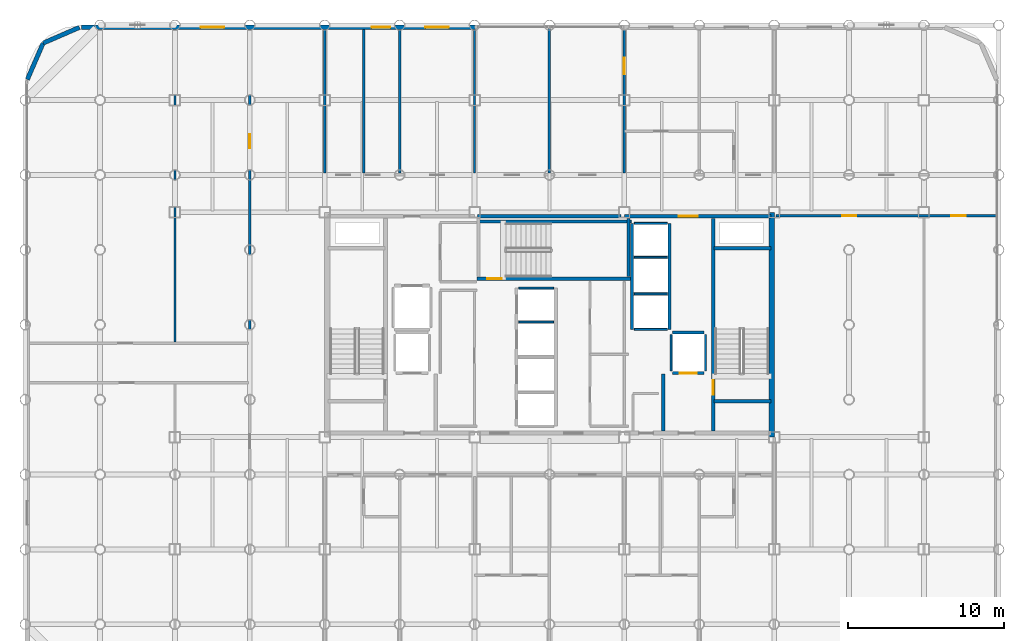
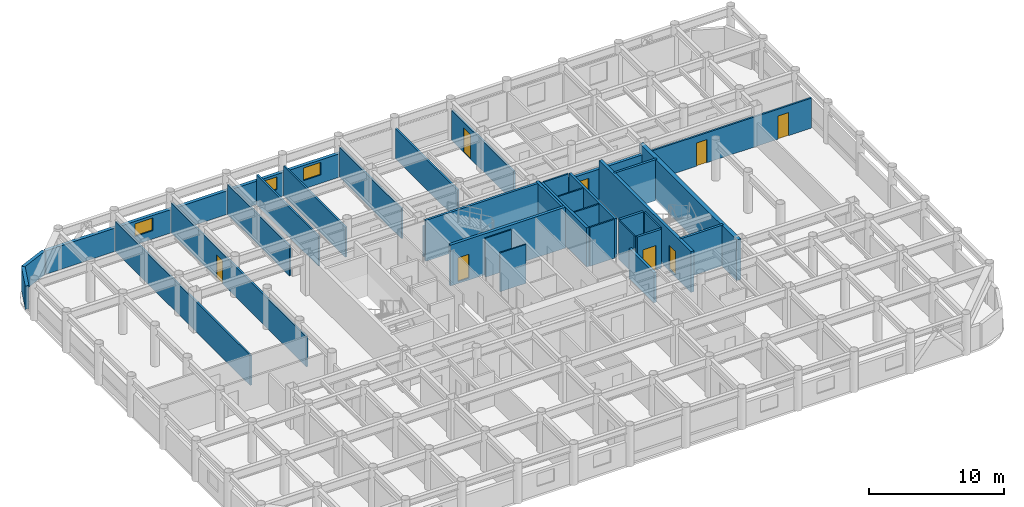
# One storey, part 18 of 20: 34 walls, 8 doors, 3 windows, 11 openings.
"""IFC4 building model written with IfcOpenShell, lengths in metres."""

import ifcopenshell
import ifcopenshell.guid

model = None  # the IFC model being written
_history = None  # IfcOwnerHistory: only IFC2X3 demands one
_inside = {}  # id of a spatial element -> (the spatial element, [elements in it])
_under = {}  # id of a project, library or spatial element -> (it, [spatial elements below it])
_declared = {}  # id of a project -> (the project, [libraries it declares])
_typed = {}  # id of a type object -> (the type object, [elements of that type])
_made_of = {}  # id of a material, layer set ... -> (it, [elements and type objects made of it])


def new_model(schema):
    """Start an empty IFC model of exactly this schema.

    Asked for "IFC4X3", IfcOpenShell would pick the latest addendum, in which some entities
    have other attributes; the version numbers below select the first issue.
    IFC2X3 requires an IfcOwnerHistory on every rooted entity: one is made here for all.
    """
    global model, _history
    if schema == "IFC4X3":
        model = ifcopenshell.file(schema_version=(4, 3, 0, 0))
    else:
        model = ifcopenshell.file(schema=schema)
    _inside.clear()
    _under.clear()
    _declared.clear()
    _typed.clear()
    _made_of.clear()
    _history = None
    if model.schema == "IFC2X3":
        org = make("IfcOrganization", Name="unknown")
        user = make(
            "IfcPersonAndOrganization",
            ThePerson=make("IfcPerson", FamilyName="unknown"),
            TheOrganization=org,
        )
        app = make(
            "IfcApplication",
            ApplicationDeveloper=org,
            Version="unknown",
            ApplicationFullName="unknown",
            ApplicationIdentifier="unknown",
        )
        _history = make(
            "IfcOwnerHistory",
            OwningUser=user,
            OwningApplication=app,
            ChangeAction="ADDED",
            CreationDate=0,
        )
    return model


def make(cls, **values):
    """One entity of the class cls with the attributes given. An attribute that is None is left unset."""
    return model.create_entity(
        cls, **{name: value for name, value in values.items() if value is not None}
    )


def rooted(cls, **values):
    """An entity with a GlobalId (a new one), such as an element, a storey or a relation."""
    return make(cls, GlobalId=ifcopenshell.guid.new(), OwnerHistory=_history, **values)


def si_unit(unit_type, name, prefix=None):
    """IfcSIUnit, for example si_unit("LENGTHUNIT", "METRE", prefix="MILLI")."""
    return make("IfcSIUnit", UnitType=unit_type, Prefix=prefix, Name=name)


def assignment(units):
    """IfcUnitAssignment: the units of a project."""
    return None if units is None else make("IfcUnitAssignment", Units=units)


def point(xyz):
    """IfcCartesianPoint."""
    return None if xyz is None else make("IfcCartesianPoint", Coordinates=xyz)


def direction(xyz):
    """IfcDirection."""
    return None if xyz is None else make("IfcDirection", DirectionRatios=xyz)


def frame(location, z_axis=None, x_axis=None):
    """IfcAxis2Placement3D, a coordinate frame: its origin and axes. An axis left out is left unset."""
    return make(
        "IfcAxis2Placement3D",
        Location=point(location),
        Axis=direction(z_axis),
        RefDirection=direction(x_axis),
    )


def frame_2d(location, x_axis=None):
    """IfcAxis2Placement2D, a coordinate frame in the plane: its origin and x axis."""
    return make(
        "IfcAxis2Placement2D", Location=point(location), RefDirection=direction(x_axis)
    )


def origin():
    """The frame at (0, 0, 0) with its axes left unset."""
    return frame((0.0, 0.0, 0.0))


def place(relative_to, where):
    """IfcLocalPlacement: puts the frame where relative to a parent placement (None: the world)."""
    return make(
        "IfcLocalPlacement", PlacementRelTo=relative_to, RelativePlacement=where
    )


def context(
    kind, dimensions, precision=None, world=None, true_north=None, identifier=None
):
    """IfcGeometricRepresentationContext, for example the 3D "Model" context."""
    return make(
        "IfcGeometricRepresentationContext",
        ContextIdentifier=identifier,
        ContextType=kind,
        CoordinateSpaceDimension=dimensions,
        Precision=precision,
        WorldCoordinateSystem=world,
        TrueNorth=true_north,
    )


def subcontext(parent, identifier, kind, view, scale=None):
    """IfcGeometricRepresentationSubContext, for example "Body" below "Model"."""
    return make(
        "IfcGeometricRepresentationSubContext",
        ContextIdentifier=identifier,
        ContextType=kind,
        ParentContext=parent,
        TargetScale=scale,
        TargetView=view,
    )


def project(units=None, contexts=None):
    """IfcProject with its units and contexts."""
    return rooted(
        "IfcProject",
        Name="project",
        RepresentationContexts=contexts,
        UnitsInContext=assignment(units),
    )


def spatial(cls, under=None, at=None, **own):
    """A site, building, storey or space (cls), placed at a placement, below another one or the project."""
    s = rooted(cls, ObjectPlacement=at, **own)
    if under is not None:
        _under.setdefault(under.id(), (under, []))[1].append(s)
    return s


def profile(cls, at=None, kind="AREA", **sizes):
    """A parametric profile (cls). Its sizes go by their IFC names, for example OverallWidth=200.0."""
    return make(cls, ProfileType=kind, Position=at, **sizes)


def rectangle(**sizes):
    """IfcRectangleProfileDef."""
    return profile("IfcRectangleProfileDef", **sizes)


def extrude(swept, where, along, depth):
    """IfcExtrudedAreaSolid: the profile swept, set in the frame where, extruded along a direction by depth."""
    return make(
        "IfcExtrudedAreaSolid",
        SweptArea=swept,
        Position=where,
        ExtrudedDirection=direction(along),
        Depth=depth,
    )


def shape(context_of_items, identifier, shape_type, items):
    """IfcShapeRepresentation: the items that make up one representation, for example the "Body"."""
    return make(
        "IfcShapeRepresentation",
        ContextOfItems=context_of_items,
        RepresentationIdentifier=identifier,
        RepresentationType=shape_type,
        Items=items,
    )


def material(Name=None, Category=None):
    """IfcMaterial."""
    return make("IfcMaterial", Name=Name, Category=Category)


def layer(
    of_material, thickness, ventilated=None, Name=None, Category=None, Priority=None
):
    """IfcMaterialLayer: one layer of a wall or slab, of a material (None: an air gap)."""
    return make(
        "IfcMaterialLayer",
        Material=of_material,
        LayerThickness=thickness,
        IsVentilated=ventilated,
        Name=Name,
        Category=Category,
        Priority=Priority,
    )


def layer_set(layers, Name=None):
    """IfcMaterialLayerSet."""
    return make("IfcMaterialLayerSet", MaterialLayers=layers, LayerSetName=Name)


def made_of(thing, what):
    """Note that an element or type object is made of a material, layer set ...; save() writes the relation."""
    if what is not None:
        _made_of.setdefault(what.id(), (what, []))[1].append(thing)
    return thing


def type_object(cls, material=None, **own):
    """A type object (cls), such as IfcWallType, which elements share."""
    return made_of(rooted(cls, **own), material)


def element(
    cls,
    number,
    at=None,
    inside=None,
    cuts=None,
    type_object=None,
    material=None,
    context=None,
    identifier="Body",
    shape_type=None,
    held_by="IfcProductDefinitionShape",
    body=None,
    shapes=None,
    **own,
):
    """One element of the class cls, such as IfcWall. Its Tag is "e" and its number.

    at: its placement. inside: the storey or other place that contains it. cuts: it is an
    opening in that element (IfcRelVoidsElement). A single representation is given by context,
    identifier, shape_type and body (its items); several are given by shapes. held_by: the class
    of the entity that holds the representations. save() writes the other relations.
    """
    e = rooted(cls, Tag="e%d" % number, ObjectPlacement=at, **own)
    if body is not None:
        shapes = [shape(context, identifier, shape_type, body)]
    if shapes is not None:
        e.Representation = make(held_by, Representations=shapes)
    if inside is not None:
        _inside.setdefault(inside.id(), (inside, []))[1].append(e)
    if cuts is not None:
        rooted(
            "IfcRelVoidsElement", RelatingBuildingElement=cuts, RelatedOpeningElement=e
        )
    if type_object is not None:
        _typed.setdefault(type_object.id(), (type_object, []))[1].append(e)
    return made_of(e, material)


def fill(opening, filler):
    """IfcRelFillsElement: the door or window that sits in an opening."""
    return rooted(
        "IfcRelFillsElement",
        RelatingOpeningElement=opening,
        RelatedBuildingElement=filler,
    )


def aggregate(whole, parts):
    """IfcRelAggregates: a whole, such as a stair, and the parts it consists of."""
    return rooted("IfcRelAggregates", RelatingObject=whole, RelatedObjects=parts)


def save(model, path):
    """Write the relations noted so far, then the file.

    IfcRelAggregates (storeys below a building ...), IfcRelContainedInSpatialStructure (elements
    in a storey), IfcRelDefinesByType, IfcRelAssociatesMaterial and IfcRelDeclares: one each for
    every whole, place, type object, material and project.
    """
    for whole, parts in _under.values():
        aggregate(whole, parts)
    for where, things in _inside.values():
        rooted(
            "IfcRelContainedInSpatialStructure",
            RelatedElements=things,
            RelatingStructure=where,
        )
    for kind, things in _typed.values():
        rooted("IfcRelDefinesByType", RelatedObjects=things, RelatingType=kind)
    for what, things in _made_of.values():
        rooted("IfcRelAssociatesMaterial", RelatedObjects=things, RelatingMaterial=what)
    for by, libraries in _declared.values():
        rooted("IfcRelDeclares", RelatingContext=by, RelatedDefinitions=libraries)
    model.write(path)


model = new_model("IFC4")

# Units and contexts
model_context = context("Model", 3, precision=1e-05, world=origin(), true_north=direction((0.0, 1.0)))
body_context = subcontext(model_context, "Body", "Model", "MODEL_VIEW")
ifc_project = project(units=[si_unit("LENGTHUNIT", "METRE"), si_unit("AREAUNIT", "SQUARE_METRE"), si_unit("VOLUMEUNIT", "CUBIC_METRE"), si_unit("PLANEANGLEUNIT", "RADIAN"), si_unit("MASSUNIT", "GRAM", prefix="KILO")], contexts=[model_context])

# Site, building, storey
site_placement = place(None, origin())
site = spatial("IfcSite", under=ifc_project, at=site_placement, CompositionType="ELEMENT")
building_placement = place(site_placement, origin())
building = spatial("IfcBuilding", under=site, at=building_placement, Name="Kallvorn Hotel Tower", CompositionType="ELEMENT")
storey_placement = place(building_placement, frame((0.0, 0.0, 158.10009765625)))
storey = spatial("IfcBuildingStorey", under=building, at=storey_placement, Name="L39", CompositionType="ELEMENT", Elevation=158.10009765625)

# Walls
ifc_material_1 = material(Name="Concrete C50/60", Category="concrete")
ifc_layer_1 = layer(ifc_material_1, 0.35009765625)
ifc_layer_set_1 = layer_set([ifc_layer_1], Name="WL_CORE_350")
wall_type_1 = type_object("IfcWallType", Name="WL_CORE_350", PredefinedType="SHEAR", material=ifc_layer_set_1)
wall_1_placement = place(storey_placement, frame((14.239990234375, -7.199951171875, -0.18017578125), z_axis=(0.0, 0.0, 1.0), x_axis=(0.0, 1.0, 0.0)))
element("IfcWall", 1, at=wall_1_placement, inside=storey, type_object=wall_type_1, Name="L39 Core East Shear Wall", PredefinedType="SHEAR", context=body_context, shape_type="SweptSolid", body=[
    extrude(rectangle(XDim=14.39990234375, YDim=0.35009765625, at=frame_2d((7.199951171875, 0.0))), origin(), (0.0, 0.0, 1.0), 3.7001953125),
])
ifc_material_2 = material(Name="Fire-rated double-layer acoustic gypsum drywall EI 60")
ifc_layer_2 = layer(ifc_material_2, 0.159912109375)
ifc_layer_set_2 = layer_set([ifc_layer_2], Name="WL_DEMISE_160")
wall_type_2 = type_object("IfcWallType", Name="WL_DEMISE_160", PredefinedType="PARTITIONING", material=ifc_layer_set_2)
wall_2_placement = place(storey_placement, frame((0.0, 9.719970703125, 0.0), z_axis=(0.0, 0.0, 1.0), x_axis=(0.0, 1.0, 0.0)))
element("IfcWall", 2, at=wall_2_placement, inside=storey, type_object=wall_type_2, Name="L39 Suite 3905 Junior Living Salon Partition", PredefinedType="PARTITIONING", context=body_context, shape_type="SweptSolid", body=[
    extrude(rectangle(XDim=9.275146484375, YDim=0.159912109375, at=frame_2d((4.6376953125, 0.0))), origin(), (0.0, 0.0, 1.0), 2.719970703125),
])

# Wall, opening, door
wall_3_placement = place(storey_placement, frame((4.800048828125, 9.719970703125, 0.0), z_axis=(0.0, 0.0, 1.0), x_axis=(0.0, 1.0, 0.0)))
wall_3 = element("IfcWall", 3, at=wall_3_placement, inside=storey, type_object=wall_type_2, Name="L39 Suite 3905 Junior Living Salon Partition", PredefinedType="PARTITIONING", context=body_context, shape_type="SweptSolid", body=[
    extrude(rectangle(XDim=9.18994140625, YDim=0.159912109375, at=frame_2d((4.594970703125, 0.0))), origin(), (0.0, 0.0, 1.0), 2.719970703125),
])
opening_1_placement = place(wall_3_placement, frame((6.346923828125, 0.0, 0.0)))
opening_1 = element("IfcOpeningElement", 4, at=opening_1_placement, cuts=wall_3, Name="Opening GD2", PredefinedType="OPENING", context=body_context, shape_type="SweptSolid", body=[
    extrude(rectangle(XDim=1.050048828125, YDim=2.199951171875, at=frame_2d((0.52490234375, 1.10009765625))), frame((0.0, 0.094970703125, 0.0), z_axis=(0.0, -1.0, 0.0), x_axis=(1.0, 0.0, 0.0)), (0.0, 0.0, 1.0), 0.18994140625),
])
ifc_material_3 = material(Name="Solid-core walnut veneer fire-rated timber door leaf", Category="wood")
door_type_1 = type_object("IfcDoorType", Name="DR_SUITE_1050x2200", OperationType="NOTDEFINED", PredefinedType="DOOR", material=ifc_material_3)
door_1_placement = place(opening_1_placement, origin())
door_1 = element("IfcDoor", 5, at=door_1_placement, inside=storey, type_object=door_type_1, Name="L39 Suite 3905 Junior Bedroom Door", OperationType="SINGLE_SWING_LEFT", OverallHeight=2.199951171875, OverallWidth=1.050048828125, PredefinedType="DOOR", context=body_context, shape_type="SweptSolid", body=[
    extrude(rectangle(XDim=1.050048828125, YDim=2.199951171875, at=frame_2d((0.52490234375, 1.10009765625))), frame((0.0, 0.02490234375, 0.0), z_axis=(0.0, -1.0, 0.0), x_axis=(1.0, 0.0, 0.0)), (0.0, 0.0, 1.0), 0.050048828125),
])
fill(opening_1, door_1)

# Walls
ifc_material_4 = material(Name="Precast basalt-clad insulated concrete wall C40/50", Category="masonry")
ifc_layer_3 = layer(ifc_material_4, 0.280029296875)
ifc_layer_set_3 = layer_set([ifc_layer_3], Name="WL_EXT_LOGGIA_280")
wall_type_3 = type_object("IfcWallType", Name="WL_EXT_LOGGIA_280", PredefinedType="SOLIDWALL", material=ifc_layer_set_3)
wall_4_placement = place(storey_placement, frame((-30.120849609375, 19.057861328125, 0.0), z_axis=(0.0, 0.0, 1.0), x_axis=(-0.917060872934, -0.398747232384, 0.0)))
element("IfcWall", 6, at=wall_4_placement, inside=storey, type_object=wall_type_3, Name="L39 Rounded Corner Exterior Wall NW1", PredefinedType="SOLIDWALL", context=body_context, shape_type="SweptSolid", body=[
    extrude(rectangle(XDim=2.5361328125, YDim=0.280029296875, at=frame_2d((1.26806640625, 0.0))), origin(), (0.0, 0.0, 1.0), 2.119873046875),
])
wall_5_placement = place(storey_placement, frame((-32.446533203125, 18.046630859375, 0.0), z_axis=(0.0, 0.0, 1.0), x_axis=(-0.398792985289, -0.917040977756, 0.0)))
element("IfcWall", 7, at=wall_5_placement, inside=storey, type_object=wall_type_3, Name="L39 Rounded Corner Exterior Wall NW2", PredefinedType="SOLIDWALL", context=body_context, shape_type="SweptSolid", body=[
    extrude(rectangle(XDim=2.536376953125, YDim=0.280029296875, at=frame_2d((1.26806640625, 0.0))), origin(), (0.0, 0.0, 1.0), 2.119873046875),
])

# Wall, openings, windows
wall_6_placement = place(storey_placement, frame((-30.0, 19.06005859375, 0.0), z_axis=(0.0, 0.0, 1.0), x_axis=(1.0, 0.0, 0.0)))
wall_6 = element("IfcWall", 8, at=wall_6_placement, inside=storey, type_object=wall_type_3, Name="L39 Exterior Envelope Wall EW-L39-NW", PredefinedType="SOLIDWALL", context=body_context, shape_type="SweptSolid", body=[
    extrude(rectangle(XDim=25.25, YDim=0.280029296875, at=frame_2d((12.625, 0.0))), origin(), (0.0, 0.0, 1.0), 2.119873046875),
])
opening_2_placement = place(wall_6_placement, frame((7.64990234375, 0.0, 0.75)))
opening_2 = element("IfcOpeningElement", 9, at=opening_2_placement, cuts=wall_6, Name="Opening W05A", PredefinedType="OPENING", context=body_context, shape_type="SweptSolid", body=[
    extrude(rectangle(XDim=1.5, YDim=1.14990234375, at=frame_2d((0.75, 0.574951171875))), frame((0.0, 0.155029296875, 0.0), z_axis=(0.0, -1.0, 0.0), x_axis=(1.0, 0.0, 0.0)), (0.0, 0.0, 1.0), 0.31005859375),
])
opening_3_placement = place(wall_6_placement, frame((18.60009765625, 0.0, 0.75)))
opening_3 = element("IfcOpeningElement", 10, at=opening_3_placement, cuts=wall_6, Name="Opening W06A", PredefinedType="OPENING", context=body_context, shape_type="SweptSolid", body=[
    extrude(rectangle(XDim=1.199951171875, YDim=1.14990234375, at=frame_2d((0.60009765625, 0.574951171875))), frame((0.0, 0.155029296875, 0.0), z_axis=(0.0, -1.0, 0.0), x_axis=(1.0, 0.0, 0.0)), (0.0, 0.0, 1.0), 0.31005859375),
])
opening_4_placement = place(wall_6_placement, frame((22.050048828125, 0.0, 0.75)))
opening_4 = element("IfcOpeningElement", 11, at=opening_4_placement, cuts=wall_6, Name="Opening W05A", PredefinedType="OPENING", context=body_context, shape_type="SweptSolid", body=[
    extrude(rectangle(XDim=1.5, YDim=1.14990234375, at=frame_2d((0.75, 0.574951171875))), frame((0.0, 0.155029296875, 0.0), z_axis=(0.0, -1.0, 0.0), x_axis=(1.0, 0.0, 0.0)), (0.0, 0.0, 1.0), 0.31005859375),
])
ifc_material_5 = material(Name="Triple-glazed low-e acoustic solar-control dark glass", Category="glass")
window_type_1 = type_object("IfcWindowType", Name="WN_HTL_1200x1150", PartitioningType="SINGLE_PANEL", PredefinedType="WINDOW", material=ifc_material_5)
window_1_placement = place(opening_3_placement, origin())
window_1 = element("IfcWindow", 12, at=window_1_placement, inside=storey, type_object=window_type_1, Name="L39 Guestroom Exterior Window 10", OverallHeight=1.14990234375, OverallWidth=1.199951171875, PartitioningType="SINGLE_PANEL", PredefinedType="WINDOW", context=body_context, shape_type="SweptSolid", body=[
    extrude(rectangle(XDim=1.199951171875, YDim=1.14990234375, at=frame_2d((0.60009765625, 0.574951171875))), frame((0.0, 0.030029296875, 0.0), z_axis=(0.0, -1.0, 0.0), x_axis=(1.0, 0.0, 0.0)), (0.0, 0.0, 1.0), 0.06005859375),
])
fill(opening_3, window_1)
ifc_material_6 = material(Name="Double-glazed low-e solar-control dark glass", Category="glass")
window_type_2 = type_object("IfcWindowType", Name="WN_HTL_1500x1150", PartitioningType="SINGLE_PANEL", PredefinedType="WINDOW", material=ifc_material_6)
window_2_placement = place(opening_2_placement, origin())
window_2 = element("IfcWindow", 13, at=window_2_placement, inside=storey, type_object=window_type_2, Name="L39 Guestroom Exterior Window 03", OverallHeight=1.14990234375, OverallWidth=1.5, PartitioningType="SINGLE_PANEL", PredefinedType="WINDOW", context=body_context, shape_type="SweptSolid", body=[
    extrude(rectangle(XDim=1.5, YDim=1.14990234375, at=frame_2d((0.75, 0.574951171875))), frame((0.0, 0.030029296875, 0.0), z_axis=(0.0, -1.0, 0.0), x_axis=(1.0, 0.0, 0.0)), (0.0, 0.0, 1.0), 0.06005859375),
])
fill(opening_2, window_2)
window_3_placement = place(opening_4_placement, origin())
window_3 = element("IfcWindow", 14, at=window_3_placement, inside=storey, type_object=window_type_2, Name="L39 Guestroom Exterior Window 11", OverallHeight=1.14990234375, OverallWidth=1.5, PartitioningType="SINGLE_PANEL", PredefinedType="WINDOW", context=body_context, shape_type="SweptSolid", body=[
    extrude(rectangle(XDim=1.5, YDim=1.14990234375, at=frame_2d((0.75, 0.574951171875))), frame((0.0, 0.030029296875, 0.0), z_axis=(0.0, -1.0, 0.0), x_axis=(1.0, 0.0, 0.0)), (0.0, 0.0, 1.0), 0.06005859375),
])
fill(opening_4, window_3)

# Walls
ifc_material_7 = material(Name="Concrete C40/50", Category="concrete")
ifc_layer_4 = layer(ifc_material_7, 0.219970703125)
ifc_layer_set_4 = layer_set([ifc_layer_4], Name="WL_FFL_220")
wall_type_4 = type_object("IfcWallType", Name="WL_FFL_220", PredefinedType="SOLIDWALL", material=ifc_layer_set_4)
wall_7_placement = place(storey_placement, frame((7.300048828125, -6.820068359375, 0.0), z_axis=(0.0, 0.0, 1.0), x_axis=(0.0, 1.0, 0.0)))
element("IfcWall", 15, at=wall_7_placement, inside=storey, type_object=wall_type_4, Name="L39 Firefighting Lobby East Divider Wall", PredefinedType="SOLIDWALL", context=body_context, shape_type="SweptSolid", body=[
    extrude(rectangle(XDim=3.670166015625, YDim=0.219970703125, at=frame_2d((1.8349609375, 0.0))), origin(), (0.0, 0.0, 1.0), 2.719970703125),
])
ifc_material_8 = material(Name="Concrete C40/50", Category="concrete")
ifc_layer_5 = layer(ifc_material_8, 0.199951171875)
ifc_layer_set_5 = layer_set([ifc_layer_5], Name="WL_HOIST_200")
wall_type_5 = type_object("IfcWallType", Name="WL_HOIST_200", PredefinedType="SOLIDWALL", material=ifc_layer_set_5)
for number, where, z_axis, x_axis, name in (
    (16, (10.550048828125, -4.89990234375, -0.18017578125), (0.0, 0.0, 1.0), (1.0, 0.0, 0.0), "L39 Stair ST2 South Wall"),
    (17, (10.550048828125, 4.89990234375, -0.18017578125), (0.0, 0.0, 1.0), (1.0, 0.0, 0.0), "L39 Stair ST2 North Wall"),
):
    element("IfcWall", number, at=place(storey_placement, frame(where, z_axis=z_axis, x_axis=x_axis)), inside=storey, type_object=wall_type_5, Name=name, PredefinedType="SOLIDWALL", context=body_context, shape_type="SweptSolid", body=[
        extrude(rectangle(XDim=3.64990234375, YDim=0.199951171875, at=frame_2d((1.824951171875, 0.0))), origin(), (0.0, 0.0, 1.0), 3.7001953125),
    ])
wall_8_placement = place(storey_placement, frame((-4.64990234375, 6.610107421875, -0.18017578125), z_axis=(0.0, 0.0, 1.0), x_axis=(1.0, 0.0, 0.0)))
element("IfcWall", 18, at=wall_8_placement, inside=storey, type_object=wall_type_5, Name="L39 Stair ST3 Shaft North Wall", PredefinedType="SOLIDWALL", context=body_context, shape_type="SweptSolid", body=[
    extrude(rectangle(XDim=9.89990234375, YDim=0.199951171875, at=frame_2d((4.949951171875, 0.0))), origin(), (0.0, 0.0, 1.0), 3.7001953125),
])
wall_9_placement = place(storey_placement, frame((5.06005859375, 3.080078125, -0.18017578125), z_axis=(0.0, 0.0, 1.0), x_axis=(0.0, 1.0, 0.0)))
element("IfcWall", 19, at=wall_9_placement, inside=storey, type_object=wall_type_5, Name="L39 Stair ST3 East Wall", PredefinedType="SOLIDWALL", context=body_context, shape_type="SweptSolid", body=[
    extrude(rectangle(XDim=3.739990234375, YDim=0.199951171875, at=frame_2d((1.8701171875, 0.0))), origin(), (0.0, 0.0, 1.0), 3.7001953125),
])
for number, where, z_axis, x_axis, name in (
    (20, (7.699951171875, -0.300048828125, 0.0), (0.0, 0.0, 1.0), (0.0, 1.0, 0.0), "L39 Lift Bank OBS Landing Wall"),
    (21, (5.300048828125, -0.300048828125, 0.0), (0.0, 0.0, 1.0), (0.0, 1.0, 0.0), "L39 Lift Bank OBS Rear Shaft Wall"),
):
    element("IfcWall", number, at=place(storey_placement, frame(where, z_axis=z_axis, x_axis=x_axis)), inside=storey, type_object=wall_type_5, Name=name, PredefinedType="SOLIDWALL", context=body_context, shape_type="SweptSolid", body=[
        extrude(rectangle(XDim=6.800048828125, YDim=0.199951171875, at=frame_2d((3.39990234375, 0.0))), origin(), (0.0, 0.0, 1.0), 3.52001953125),
    ])

# Wall, opening, door
wall_10_placement = place(storey_placement, frame((7.8798828125, -3.10009765625, 0.0), z_axis=(0.0, 0.0, 1.0), x_axis=(1.0, 0.0, 0.0)))
wall_10 = element("IfcWall", 22, at=wall_10_placement, inside=storey, type_object=wall_type_5, Name="L39 FL-2 Landing Wall", PredefinedType="SOLIDWALL", context=body_context, shape_type="SweptSolid", body=[
    extrude(rectangle(XDim=2.0400390625, YDim=0.199951171875, at=frame_2d((1.02001953125, 0.0))), origin(), (0.0, 0.0, 1.0), 3.52001953125),
])
opening_5_placement = place(wall_10_placement, frame((0.469970703125, 0.0, 0.0)))
opening_5 = element("IfcOpeningElement", 23, at=opening_5_placement, cuts=wall_10, Name="Opening LD-FL-2", PredefinedType="OPENING", context=body_context, shape_type="SweptSolid", body=[
    extrude(rectangle(XDim=1.10009765625, YDim=2.199951171875, at=frame_2d((0.550048828125, 1.10009765625))), frame((0.0, 0.114990234375, 0.0), z_axis=(0.0, -1.0, 0.0), x_axis=(1.0, 0.0, 0.0)), (0.0, 0.0, 1.0), 0.22998046875),
])
ifc_material_9 = material(Name="Brushed stainless-steel automatic sliding lift landing door", Category="steel")
door_type_2 = type_object("IfcDoorType", Name="LD_PASS_1100x2200", OperationType="SLIDING_TO_LEFT", PredefinedType="DOOR", material=ifc_material_9)
door_2_placement = place(opening_5_placement, origin())
door_2 = element("IfcDoor", 24, at=door_2_placement, inside=storey, type_object=door_type_2, Name="L39 Lift Landing Sliding Door LD-FL-2", OperationType="SLIDING_TO_LEFT", OverallHeight=2.199951171875, OverallWidth=1.10009765625, PredefinedType="DOOR", context=body_context, shape_type="SweptSolid", body=[
    extrude(rectangle(XDim=1.10009765625, YDim=2.199951171875, at=frame_2d((0.550048828125, 1.10009765625))), frame((0.0, 0.02490234375, 0.0), z_axis=(0.0, -1.0, 0.0), x_axis=(1.0, 0.0, 0.0)), (0.0, 0.0, 1.0), 0.050048828125),
])
fill(opening_5, door_2)

# Walls
wall_11_placement = place(storey_placement, frame((7.8798828125, -0.5, 0.0), z_axis=(0.0, 0.0, 1.0), x_axis=(1.0, 0.0, 0.0)))
element("IfcWall", 25, at=wall_11_placement, inside=storey, type_object=wall_type_5, Name="L39 FL-2 Rear Shaft Wall", PredefinedType="SOLIDWALL", context=body_context, shape_type="SweptSolid", body=[
    extrude(rectangle(XDim=2.0400390625, YDim=0.199951171875, at=frame_2d((1.02001953125, 0.0))), origin(), (0.0, 0.0, 1.0), 3.52001953125),
])
ifc_material_10 = material(Name="Fire-rated double-layer acoustic gypsum drywall EI 60")
ifc_layer_6 = layer(ifc_material_10, 0.1201171875)
ifc_layer_set_6 = layer_set([ifc_layer_6], Name="WL_INT_120")
wall_type_6 = type_object("IfcWallType", Name="WL_INT_120", PredefinedType="PARTITIONING", material=ifc_layer_set_6)
for number, where, z_axis, x_axis, name in (
    (26, (-1.9599609375, 0.175048828125, 0.0), (0.0, 0.0, 1.0), (1.0, 0.0, 0.0), "L39 PL-07 Hoistway Divider"),
    (27, (-1.9599609375, 2.35009765625, 0.0), (0.0, 0.0, 1.0), (1.0, 0.0, 0.0), "L39 PL-08 Hoistway Divider"),
):
    element("IfcWall", number, at=place(storey_placement, frame(where, z_axis=z_axis, x_axis=x_axis)), inside=storey, type_object=wall_type_6, Name=name, PredefinedType="PARTITIONING", context=body_context, shape_type="SweptSolid", body=[
        extrude(rectangle(XDim=2.219970703125, YDim=0.1201171875, at=frame_2d((1.10986328125, 0.0))), origin(), (0.0, 0.0, 1.0), 3.52001953125),
    ])
for number, where, z_axis, x_axis, name in (
    (28, (5.43994140625, -0.300048828125, 0.0), (0.0, 0.0, 1.0), (1.0, 0.0, 0.0), "L39 Lift Bank OBS South Closure Wall"),
    (29, (5.43994140625, 1.97509765625, 0.0), (0.0, 0.0, 1.0), (1.0, 0.0, 0.0), "L39 OB-01 Hoistway Divider"),
    (30, (5.43994140625, 4.324951171875, 0.0), (0.0, 0.0, 1.0), (1.0, 0.0, 0.0), "L39 OB-02 Hoistway Divider"),
    (31, (5.43994140625, 6.5, 0.0), (0.0, 0.0, 1.0), (1.0, 0.0, 0.0), "L39 OB-03 Hoistway Divider"),
):
    element("IfcWall", number, at=place(storey_placement, frame(where, z_axis=z_axis, x_axis=x_axis)), inside=storey, type_object=wall_type_6, Name=name, PredefinedType="PARTITIONING", context=body_context, shape_type="SweptSolid", body=[
        extrude(rectangle(XDim=2.1201171875, YDim=0.1201171875, at=frame_2d((1.06005859375, 0.0))), origin(), (0.0, 0.0, 1.0), 3.52001953125),
    ])
for number, where, z_axis, x_axis, name in (
    (32, (7.800048828125, -2.9599609375, 0.0), (0.0, 0.0, 1.0), (0.0, 1.0, 0.0), "L39 FL-2 West Shaft Wall"),
    (33, (10.0, -2.9599609375, 0.0), (0.0, 0.0, 1.0), (0.0, 1.0, 0.0), "L39 FL-2 East Shaft Wall"),
):
    element("IfcWall", number, at=place(storey_placement, frame(where, z_axis=z_axis, x_axis=x_axis)), inside=storey, type_object=wall_type_6, Name=name, PredefinedType="PARTITIONING", context=body_context, shape_type="SweptSolid", body=[
        extrude(rectangle(XDim=2.320068359375, YDim=0.1201171875, at=frame_2d((1.16015625, 0.0))), origin(), (0.0, 0.0, 1.0), 3.52001953125),
    ])

# Wall, openings, doors
ifc_material_11 = material(Name="Fire-rated double-layer acoustic gypsum drywall EI 60")
ifc_layer_7 = layer(ifc_material_11, 0.14990234375)
ifc_layer_set_7 = layer_set([ifc_layer_7], Name="WL_PART_150")
wall_type_7 = type_object("IfcWallType", Name="WL_PART_150", PredefinedType="PARTITIONING", material=ifc_layer_set_7)
wall_12_placement = place(storey_placement, frame((14.52001953125, 6.97998046875, 0.0), z_axis=(0.0, 0.0, 1.0), x_axis=(1.0, 0.0, 0.0)))
wall_12 = element("IfcWall", 34, at=wall_12_placement, inside=storey, type_object=wall_type_7, Name="L39 L39 South-East Cocktail Bar Partition", PredefinedType="PARTITIONING", context=body_context, shape_type="SweptSolid", body=[
    extrude(rectangle(XDim=14.10986328125, YDim=0.14990234375, at=frame_2d((7.054931640625, 0.0))), origin(), (0.0, 0.0, 1.0), 2.719970703125),
])
opening_6_placement = place(wall_12_placement, frame((4.22998046875, 0.0, 0.0)))
opening_6 = element("IfcOpeningElement", 35, at=opening_6_placement, cuts=wall_12, Name="Opening SVD1", PredefinedType="OPENING", context=body_context, shape_type="SweptSolid", body=[
    extrude(rectangle(XDim=0.89990234375, YDim=2.10009765625, at=frame_2d((0.449951171875, 1.050048828125))), frame((0.0, 0.08984375, 0.0), z_axis=(0.0, -1.0, 0.0), x_axis=(1.0, 0.0, 0.0)), (0.0, 0.0, 1.0), 0.179931640625),
])
opening_7_placement = place(wall_12_placement, frame((11.2451171875, 0.0, 0.0)))
opening_7 = element("IfcOpeningElement", 36, at=opening_7_placement, cuts=wall_12, Name="Opening SVD1", PredefinedType="OPENING", context=body_context, shape_type="SweptSolid", body=[
    extrude(rectangle(XDim=0.89990234375, YDim=2.10009765625, at=frame_2d((0.449951171875, 1.050048828125))), frame((0.0, 0.08984375, 0.0), z_axis=(0.0, -1.0, 0.0), x_axis=(1.0, 0.0, 0.0)), (0.0, 0.0, 1.0), 0.179931640625),
])
ifc_material_12 = material(Name="Galvanised painted steel fire-rated door assembly", Category="steel")
door_type_3 = type_object("IfcDoorType", Name="DR_SERV_900x2100", OperationType="NOTDEFINED", PredefinedType="DOOR", material=ifc_material_12)
door_3_placement = place(opening_6_placement, origin())
door_3 = element("IfcDoor", 37, at=door_3_placement, inside=storey, type_object=door_type_3, Name="L39 L39 South-East Cocktail Bar Door", OperationType="SINGLE_SWING_LEFT", OverallHeight=2.10009765625, OverallWidth=0.89990234375, PredefinedType="DOOR", context=body_context, shape_type="SweptSolid", body=[
    extrude(rectangle(XDim=0.89990234375, YDim=2.10009765625, at=frame_2d((0.449951171875, 1.050048828125))), frame((0.0, 0.02490234375, 0.0), z_axis=(0.0, -1.0, 0.0), x_axis=(1.0, 0.0, 0.0)), (0.0, 0.0, 1.0), 0.050048828125),
])
fill(opening_6, door_3)
door_4_placement = place(opening_7_placement, origin())
door_4 = element("IfcDoor", 38, at=door_4_placement, inside=storey, type_object=door_type_3, Name="L39 L39 Far-East Design Boutique Door", OperationType="SINGLE_SWING_LEFT", OverallHeight=2.10009765625, OverallWidth=0.89990234375, PredefinedType="DOOR", context=body_context, shape_type="SweptSolid", body=[
    extrude(rectangle(XDim=0.89990234375, YDim=2.10009765625, at=frame_2d((0.449951171875, 1.050048828125))), frame((0.0, 0.02490234375, 0.0), z_axis=(0.0, -1.0, 0.0), x_axis=(1.0, 0.0, 0.0)), (0.0, 0.0, 1.0), 0.050048828125),
])
fill(opening_7, door_4)

# Wall
wall_13_placement = place(storey_placement, frame((-24.0, -1.094970703125, 0.0), z_axis=(0.0, 0.0, 1.0), x_axis=(0.0, 1.0, 0.0)))
element("IfcWall", 39, at=wall_13_placement, inside=storey, type_object=wall_type_7, Name="L39 L39 Inner North-West Reading Salon Partition", PredefinedType="PARTITIONING", context=body_context, shape_type="SweptSolid", body=[
    extrude(rectangle(XDim=20.0048828125, YDim=0.14990234375, at=frame_2d((10.00244140625, 0.0))), origin(), (0.0, 0.0, 1.0), 2.719970703125),
])

# Wall, opening, door
wall_14_placement = place(storey_placement, frame((-19.199951171875, -1.094970703125, 0.0), z_axis=(0.0, 0.0, 1.0), x_axis=(0.0, 1.0, 0.0)))
wall_14 = element("IfcWall", 40, at=wall_14_placement, inside=storey, type_object=wall_type_7, Name="L39 L39 Inner North-West Reading Salon Partition", PredefinedType="PARTITIONING", context=body_context, shape_type="SweptSolid", body=[
    extrude(rectangle(XDim=20.0048828125, YDim=0.14990234375, at=frame_2d((10.00244140625, 0.0))), origin(), (0.0, 0.0, 1.0), 2.719970703125),
])
opening_8_placement = place(wall_14_placement, frame((12.39697265625, 0.0, 0.0)))
opening_8 = element("IfcOpeningElement", 41, at=opening_8_placement, cuts=wall_14, Name="Opening SVD1", PredefinedType="OPENING", context=body_context, shape_type="SweptSolid", body=[
    extrude(rectangle(XDim=0.89990234375, YDim=2.10009765625, at=frame_2d((0.449951171875, 1.050048828125))), frame((0.0, 0.08984375, 0.0), z_axis=(0.0, -1.0, 0.0), x_axis=(1.0, 0.0, 0.0)), (0.0, 0.0, 1.0), 0.179931640625),
])
door_5_placement = place(opening_8_placement, origin())
door_5 = element("IfcDoor", 42, at=door_5_placement, inside=storey, type_object=door_type_3, Name="L39 L39 Inner North-West Reading Salon Door", OperationType="SINGLE_SWING_LEFT", OverallHeight=2.10009765625, OverallWidth=0.89990234375, PredefinedType="DOOR", context=body_context, shape_type="SweptSolid", body=[
    extrude(rectangle(XDim=0.89990234375, YDim=2.10009765625, at=frame_2d((0.449951171875, 1.050048828125))), frame((0.0, 0.02490234375, 0.0), z_axis=(0.0, -1.0, 0.0), x_axis=(1.0, 0.0, 0.0)), (0.0, 0.0, 1.0), 0.050048828125),
])
fill(opening_8, door_5)

# Walls
for number, where, z_axis, x_axis, name in (
    (43, (-14.39990234375, 9.719970703125, 0.0), (0.0, 0.0, 1.0), (0.0, 1.0, 0.0), "L39 Housekeeping and Linen Room Partition"),
    (44, (-11.905029296875, 9.719970703125, 0.0), (0.0, 0.0, 1.0), (0.0, 1.0, 0.0), "L39 Guest Tea and Refreshment Bar Partition"),
    (45, (-9.60009765625, 9.719970703125, 0.0), (0.0, 0.0, 1.0), (0.0, 1.0, 0.0), "L39 Guest Tea and Refreshment Bar Partition"),
    (46, (-4.800048828125, 9.719970703125, 0.0), (0.0, 0.0, 1.0), (0.0, 1.0, 0.0), "L39 L39 Executive Co-Working Open-Plan Office 2-1 Partition"),
):
    element("IfcWall", number, at=place(storey_placement, frame(where, z_axis=z_axis, x_axis=x_axis)), inside=storey, type_object=wall_type_7, Name=name, PredefinedType="PARTITIONING", context=body_context, shape_type="SweptSolid", body=[
        extrude(rectangle(XDim=9.18994140625, YDim=0.14990234375, at=frame_2d((4.594970703125, 0.0))), origin(), (0.0, 0.0, 1.0), 2.719970703125),
    ])
ifc_material_13 = material(Name="Concrete C40/50", Category="concrete")
ifc_layer_8 = layer(ifc_material_13, 0.25)
ifc_layer_set_8 = layer_set([ifc_layer_8], Name="WL_SHAFT_250")
wall_type_8 = type_object("IfcWallType", Name="WL_SHAFT_250", PredefinedType="SOLIDWALL", material=ifc_layer_set_8)
wall_15_placement = place(storey_placement, frame((-4.60009765625, 6.949951171875, 0.0), z_axis=(0.0, 0.0, 1.0), x_axis=(1.0, 0.0, 0.0)))
element("IfcWall", 47, at=wall_15_placement, inside=storey, type_object=wall_type_8, Name="L39 Core North-Central Wall", PredefinedType="SOLIDWALL", context=body_context, shape_type="SweptSolid", body=[
    extrude(rectangle(XDim=9.2001953125, YDim=0.25, at=frame_2d((4.60009765625, 0.0))), origin(), (0.0, 0.0, 1.0), 2.719970703125),
])

# Wall, opening, door
wall_16_placement = place(storey_placement, frame((4.800048828125, 6.949951171875, 0.0), z_axis=(0.0, 0.0, 1.0), x_axis=(1.0, 0.0, 0.0)))
wall_16 = element("IfcWall", 48, at=wall_16_placement, inside=storey, type_object=wall_type_8, Name="L39 Core North-East Wall", PredefinedType="SOLIDWALL", context=body_context, shape_type="SweptSolid", body=[
    extrude(rectangle(XDim=9.39990234375, YDim=0.25, at=frame_2d((4.699951171875, 0.0))), origin(), (0.0, 0.0, 1.0), 2.719970703125),
])
opening_9_placement = place(wall_16_placement, frame((3.5, 0.0, 0.0)))
opening_9 = element("IfcOpeningElement", 49, at=opening_9_placement, cuts=wall_16, Name="Opening FD2", PredefinedType="OPENING", context=body_context, shape_type="SweptSolid", body=[
    extrude(rectangle(XDim=1.199951171875, YDim=2.199951171875, at=frame_2d((0.60009765625, 1.10009765625))), frame((0.0, 0.139892578125, 0.0), z_axis=(0.0, -1.0, 0.0), x_axis=(1.0, 0.0, 0.0)), (0.0, 0.0, 1.0), 0.280029296875),
])
ifc_material_14 = material(Name="Galvanised painted steel fire-rated door assembly", Category="steel")
door_type_4 = type_object("IfcDoorType", Name="DR_LOBBY_1200x2200", OperationType="DOUBLE_DOOR_SINGLE_SWING", PredefinedType="DOOR", material=ifc_material_14)
door_6_placement = place(opening_9_placement, origin())
door_6 = element("IfcDoor", 50, at=door_6_placement, inside=storey, type_object=door_type_4, Name="L39 Observatory Shuttle Lobby Door", OperationType="DOUBLE_DOOR_SINGLE_SWING", OverallHeight=2.199951171875, OverallWidth=1.199951171875, PredefinedType="DOOR", context=body_context, shape_type="SweptSolid", body=[
    extrude(rectangle(XDim=1.199951171875, YDim=2.199951171875, at=frame_2d((0.60009765625, 1.10009765625))), frame((0.0, 0.02490234375, 0.0), z_axis=(0.0, -1.0, 0.0), x_axis=(1.0, 0.0, 0.0)), (0.0, 0.0, 1.0), 0.050048828125),
])
fill(opening_9, door_6)

wall_17_placement = place(storey_placement, frame((10.5, -6.820068359375, -0.18017578125), z_axis=(0.0, 0.0, 1.0), x_axis=(0.0, 1.0, 0.0)))
wall_17 = element("IfcWall", 51, at=wall_17_placement, inside=storey, type_object=wall_type_8, Name="L39 Stair ST2 Shaft Wall", PredefinedType="SOLIDWALL", context=body_context, shape_type="SweptSolid", body=[
    extrude(rectangle(XDim=13.64013671875, YDim=0.25, at=frame_2d((6.820068359375, 0.0))), origin(), (0.0, 0.0, 1.0), 3.7001953125),
])
opening_10_placement = place(wall_17_placement, frame((2.320068359375, 0.0, 0.179931640625)))
opening_10 = element("IfcOpeningElement", 52, at=opening_10_placement, cuts=wall_17, Name="Opening SD1", PredefinedType="OPENING", context=body_context, shape_type="SweptSolid", body=[
    extrude(rectangle(XDim=0.949951171875, YDim=2.14990234375, at=frame_2d((0.47509765625, 1.074951171875))), frame((0.0, 0.139892578125, 0.0), z_axis=(0.0, -1.0, 0.0), x_axis=(1.0, 0.0, 0.0)), (0.0, 0.0, 1.0), 0.280029296875),
])
ifc_material_15 = material(Name="Galvanised painted steel fire-rated door assembly", Category="steel")
door_type_5 = type_object("IfcDoorType", Name="DR_STAIR_950x2150", OperationType="NOTDEFINED", PredefinedType="DOOR", material=ifc_material_15)
door_7_placement = place(opening_10_placement, origin())
door_7 = element("IfcDoor", 53, at=door_7_placement, inside=storey, type_object=door_type_5, Name="L39 Exit Stair ST2 Fire Door", OperationType="SINGLE_SWING_RIGHT", OverallHeight=2.14990234375, OverallWidth=0.949951171875, PredefinedType="DOOR", context=body_context, shape_type="SweptSolid", body=[
    extrude(rectangle(XDim=0.949951171875, YDim=2.14990234375, at=frame_2d((0.47509765625, 1.074951171875))), frame((0.0, 0.02490234375, 0.0), z_axis=(0.0, -1.0, 0.0), x_axis=(1.0, 0.0, 0.0)), (0.0, 0.0, 1.0), 0.050048828125),
])
fill(opening_10, door_7)

wall_18_placement = place(storey_placement, frame((-4.64990234375, 2.949951171875, -0.18017578125), z_axis=(0.0, 0.0, 1.0), x_axis=(1.0, 0.0, 0.0)))
wall_18 = element("IfcWall", 54, at=wall_18_placement, inside=storey, type_object=wall_type_8, Name="L39 Stair ST3 Shaft South Wall", PredefinedType="SOLIDWALL", context=body_context, shape_type="SweptSolid", body=[
    extrude(rectangle(XDim=9.89990234375, YDim=0.25, at=frame_2d((4.949951171875, 0.0))), origin(), (0.0, 0.0, 1.0), 3.7001953125),
])
opening_11_placement = place(wall_18_placement, frame((0.64990234375, 0.0, 0.179931640625)))
opening_11 = element("IfcOpeningElement", 55, at=opening_11_placement, cuts=wall_18, Name="Opening SD1", PredefinedType="OPENING", context=body_context, shape_type="SweptSolid", body=[
    extrude(rectangle(XDim=0.949951171875, YDim=2.14990234375, at=frame_2d((0.47509765625, 1.074951171875))), frame((0.0, 0.139892578125, 0.0), z_axis=(0.0, -1.0, 0.0), x_axis=(1.0, 0.0, 0.0)), (0.0, 0.0, 1.0), 0.280029296875),
])
door_8_placement = place(opening_11_placement, origin())
door_8 = element("IfcDoor", 56, at=door_8_placement, inside=storey, type_object=door_type_5, Name="L39 Exit Stair ST3 Fire Door", OperationType="SINGLE_SWING_RIGHT", OverallHeight=2.14990234375, OverallWidth=0.949951171875, PredefinedType="DOOR", context=body_context, shape_type="SweptSolid", body=[
    extrude(rectangle(XDim=0.949951171875, YDim=2.14990234375, at=frame_2d((0.47509765625, 1.074951171875))), frame((0.0, 0.02490234375, 0.0), z_axis=(0.0, -1.0, 0.0), x_axis=(1.0, 0.0, 0.0)), (0.0, 0.0, 1.0), 0.050048828125),
])
fill(opening_11, door_8)

save(model, "model.ifc")
